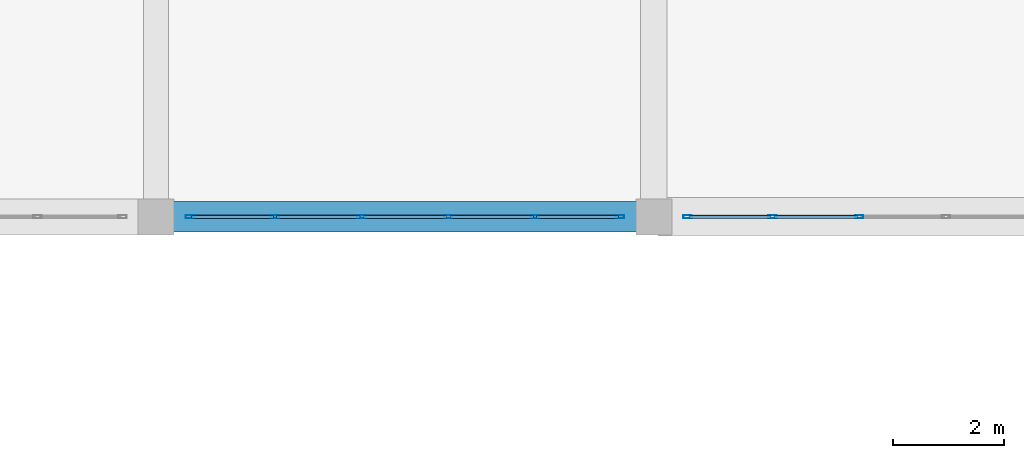
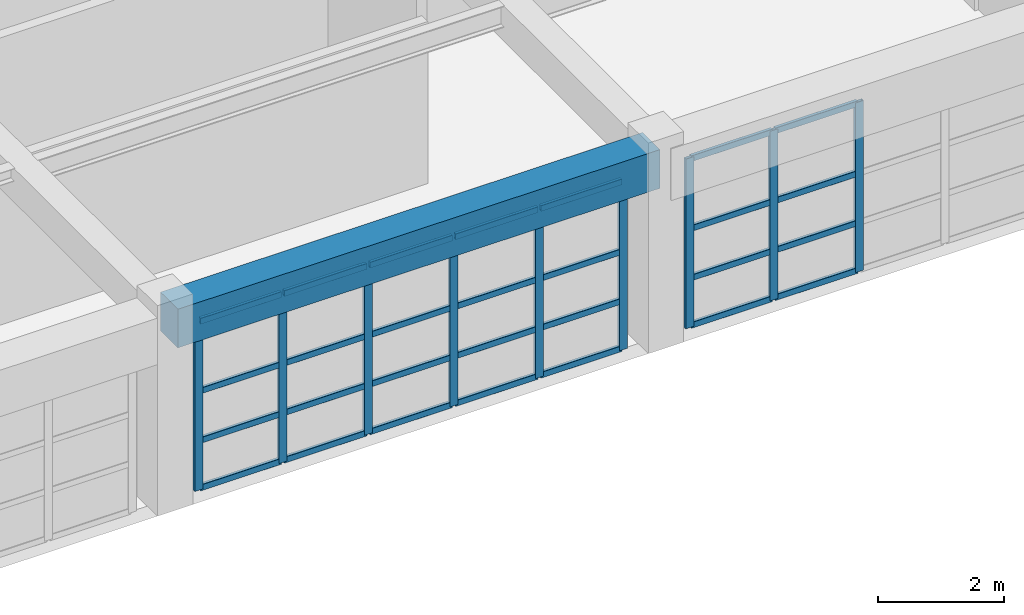
# One storey, part 27 of 130: 37 members, 1 beam, 2 elements without a shape of their own.
"""IFC4 building model written with IfcOpenShell, lengths in metres."""

from ifc_helpers import new_model, si_unit, direction, frame, origin, origin_2d, place, context, subcontext, project, spatial, rectangle, hollow_rectangle, extrude, material, material_profile, profile_set, type_object, element, aggregate, save


model = new_model("IFC4")

# Units and contexts
model_context = context("Model", 3, precision=1e-05, world=origin(), true_north=direction((0.0, 1.0)))
body_context = subcontext(model_context, "Body", "Model", "MODEL_VIEW")
ifc_project = project(units=[si_unit("LENGTHUNIT", "METRE"), si_unit("AREAUNIT", "SQUARE_METRE"), si_unit("VOLUMEUNIT", "CUBIC_METRE"), si_unit("PLANEANGLEUNIT", "RADIAN"), si_unit("MASSUNIT", "GRAM", prefix="KILO")], contexts=[model_context])

# Site, building, storey
site_placement = place(None, origin())
site = spatial("IfcSite", under=ifc_project, at=site_placement, CompositionType="ELEMENT")
building_placement = place(site_placement, origin())
building = spatial("IfcBuilding", under=site, at=building_placement, Name="Miravela Opera House", CompositionType="ELEMENT")
storey_placement = place(building_placement, frame((0.0, 0.0, 9.52001953125)))
storey = spatial("IfcBuildingStorey", under=building, at=storey_placement, Name="L02", CompositionType="ELEMENT", Elevation=9.52001953125)

# Curtain wall, members
ifc_material_1 = material(Name="Anodised architectural bronze aluminium 6063-T6", Category="aluminium")
curtain_wall_type = type_object("IfcCurtainWallType", Name="ARC-CW-06", PredefinedType="NOTDEFINED", material=ifc_material_1)
curtain_wall_1_placement = place(storey_placement, origin())
curtain_wall_1 = element("IfcCurtainWall", 1, at=curtain_wall_1_placement, inside=storey, type_object=curtain_wall_type, Name="Courtyard Arcade Curtain Wall CW-L02-138", PredefinedType="NOTDEFINED")
ifc_material_profile_1 = material_profile(ifc_material_1, hollow_rectangle(XDim=0.06005859375, YDim=0.14990234375, WallThickness=0.00390625, InnerFilletRadius=0.001953125, OuterFilletRadius=0.00390625, at=origin_2d()), Name="CWM-60X150")
ifc_profile_set_1 = profile_set([ifc_material_profile_1])
member_type_1 = type_object("IfcMemberType", Name="ARC-CWM-150", PredefinedType="MULLION", material=ifc_profile_set_1)
member_1_placement = place(storey_placement, frame((36.610107421875, 28.0, 0.0), z_axis=(0.0, 0.0, 1.0), x_axis=(0.0, 1.0, 0.0)))
member_1 = element("IfcMember", 2, at=member_1_placement, type_object=member_type_1, Name="CW-06 mullion 1", PredefinedType="MULLION", context=body_context, shape_type="SweptSolid", body=[
    extrude(hollow_rectangle(XDim=0.06005859375, YDim=0.14990234375, WallThickness=0.00390625, InnerFilletRadius=0.001953125, OuterFilletRadius=0.00390625, at=origin_2d()), origin(), (0.0, 0.0, 1.0), 3.2900390625),
])
member_2_placement = place(storey_placement, frame((38.14794921875, 28.0, 0.0), z_axis=(0.0, 0.0, 1.0), x_axis=(0.0, 1.0, 0.0)))
member_2 = element("IfcMember", 3, at=member_2_placement, type_object=member_type_1, Name="CW-06 mullion 2", PredefinedType="MULLION", context=body_context, shape_type="SweptSolid", body=[
    extrude(hollow_rectangle(XDim=0.06005859375, YDim=0.14990234375, WallThickness=0.00390625, InnerFilletRadius=0.001953125, OuterFilletRadius=0.00390625, at=origin_2d()), origin(), (0.0, 0.0, 1.0), 3.2900390625),
])
member_3_placement = place(storey_placement, frame((39.716064453125, 28.0, 0.0), z_axis=(0.0, 0.0, 1.0), x_axis=(0.0, 1.0, 0.0)))
member_3 = element("IfcMember", 4, at=member_3_placement, type_object=member_type_1, Name="CW-06 mullion 3", PredefinedType="MULLION", context=body_context, shape_type="SweptSolid", body=[
    extrude(hollow_rectangle(XDim=0.06005859375, YDim=0.14990234375, WallThickness=0.00390625, InnerFilletRadius=0.001953125, OuterFilletRadius=0.00390625, at=origin_2d()), origin(), (0.0, 0.0, 1.0), 3.2900390625),
])
member_4_placement = place(storey_placement, frame((41.283935546875, 28.0, 0.0), z_axis=(0.0, 0.0, 1.0), x_axis=(0.0, 1.0, 0.0)))
member_4 = element("IfcMember", 5, at=member_4_placement, type_object=member_type_1, Name="CW-06 mullion 4", PredefinedType="MULLION", context=body_context, shape_type="SweptSolid", body=[
    extrude(hollow_rectangle(XDim=0.06005859375, YDim=0.14990234375, WallThickness=0.00390625, InnerFilletRadius=0.001953125, OuterFilletRadius=0.00390625, at=origin_2d()), origin(), (0.0, 0.0, 1.0), 3.2900390625),
])
member_5_placement = place(storey_placement, frame((42.85205078125, 28.0, 0.0), z_axis=(0.0, 0.0, 1.0), x_axis=(0.0, 1.0, 0.0)))
member_5 = element("IfcMember", 6, at=member_5_placement, type_object=member_type_1, Name="CW-06 mullion 5", PredefinedType="MULLION", context=body_context, shape_type="SweptSolid", body=[
    extrude(hollow_rectangle(XDim=0.06005859375, YDim=0.14990234375, WallThickness=0.00390625, InnerFilletRadius=0.001953125, OuterFilletRadius=0.00390625, at=origin_2d()), origin(), (0.0, 0.0, 1.0), 3.2900390625),
])
member_6_placement = place(storey_placement, frame((44.389892578125, 28.0, 0.0), z_axis=(0.0, 0.0, 1.0), x_axis=(0.0, 1.0, 0.0)))
member_6 = element("IfcMember", 7, at=member_6_placement, type_object=member_type_1, Name="CW-06 mullion 6", PredefinedType="MULLION", context=body_context, shape_type="SweptSolid", body=[
    extrude(hollow_rectangle(XDim=0.06005859375, YDim=0.14990234375, WallThickness=0.00390625, InnerFilletRadius=0.001953125, OuterFilletRadius=0.00390625, at=origin_2d()), origin(), (0.0, 0.0, 1.0), 3.2900390625),
])

curtain_wall_2_placement = place(storey_placement, origin())
curtain_wall_2 = element("IfcCurtainWall", 8, at=curtain_wall_2_placement, inside=storey, type_object=curtain_wall_type, Name="Courtyard Arcade Curtain Wall CW-L02-140", PredefinedType="NOTDEFINED")
member_7_placement = place(storey_placement, frame((45.610107421875, 28.0, 0.0), z_axis=(0.0, 0.0, 1.0), x_axis=(0.0, 1.0, 0.0)))
member_7 = element("IfcMember", 9, at=member_7_placement, type_object=member_type_1, Name="CW-06 mullion 1", PredefinedType="MULLION", context=body_context, shape_type="SweptSolid", body=[
    extrude(hollow_rectangle(XDim=0.06005859375, YDim=0.14990234375, WallThickness=0.00390625, InnerFilletRadius=0.001953125, OuterFilletRadius=0.00390625, at=origin_2d()), origin(), (0.0, 0.0, 1.0), 3.2900390625),
])
member_8_placement = place(storey_placement, frame((47.14794921875, 28.0, 0.0), z_axis=(0.0, 0.0, 1.0), x_axis=(0.0, 1.0, 0.0)))
member_8 = element("IfcMember", 10, at=member_8_placement, type_object=member_type_1, Name="CW-06 mullion 2", PredefinedType="MULLION", context=body_context, shape_type="SweptSolid", body=[
    extrude(hollow_rectangle(XDim=0.06005859375, YDim=0.14990234375, WallThickness=0.00390625, InnerFilletRadius=0.001953125, OuterFilletRadius=0.00390625, at=origin_2d()), origin(), (0.0, 0.0, 1.0), 3.2900390625),
])
member_9_placement = place(storey_placement, frame((48.716064453125, 28.0, 0.0), z_axis=(0.0, 0.0, 1.0), x_axis=(0.0, 1.0, 0.0)))
member_9 = element("IfcMember", 11, at=member_9_placement, type_object=member_type_1, Name="CW-06 mullion 3", PredefinedType="MULLION", context=body_context, shape_type="SweptSolid", body=[
    extrude(hollow_rectangle(XDim=0.06005859375, YDim=0.14990234375, WallThickness=0.00390625, InnerFilletRadius=0.001953125, OuterFilletRadius=0.00390625, at=origin_2d()), origin(), (0.0, 0.0, 1.0), 3.2900390625),
])

# Member
ifc_material_profile_2 = material_profile(ifc_material_1, hollow_rectangle(XDim=0.06005859375, YDim=0.114990234375, WallThickness=0.00390625, InnerFilletRadius=0.001953125, OuterFilletRadius=0.00390625, at=origin_2d()), Name="CWT-60X115")
ifc_profile_set_2 = profile_set([ifc_material_profile_2])
member_type_2 = type_object("IfcMemberType", Name="ARC-CWT-115", PredefinedType="USERDEFINED", material=ifc_profile_set_2)
member_10_placement = place(storey_placement, frame((36.639892578125, 28.0, 0.030029296875), z_axis=(1.0, 0.0, 0.0), x_axis=(0.0, 1.0, 0.0)))
member_10 = element("IfcMember", 12, at=member_10_placement, type_object=member_type_2, Name="CW-06 transom 1.1", ObjectType="TRANSOM", PredefinedType="USERDEFINED", context=body_context, shape_type="SweptSolid", body=[
    extrude(hollow_rectangle(XDim=0.06005859375, YDim=0.114990234375, WallThickness=0.00390625, InnerFilletRadius=0.001953125, OuterFilletRadius=0.00390625, at=origin_2d()), origin(), (0.0, 0.0, 1.0), 1.47802734375),
])

member_11_placement = place(storey_placement, frame((36.639892578125, 28.0, 0.949951171875), z_axis=(1.0, 0.0, 0.0), x_axis=(0.0, 1.0, 0.0)))
member_11 = element("IfcMember", 13, at=member_11_placement, type_object=member_type_2, Name="CW-06 transom 1.2", ObjectType="TRANSOM", PredefinedType="USERDEFINED", context=body_context, shape_type="SweptSolid", body=[
    extrude(hollow_rectangle(XDim=0.06005859375, YDim=0.114990234375, WallThickness=0.00390625, InnerFilletRadius=0.001953125, OuterFilletRadius=0.00390625, at=origin_2d()), origin(), (0.0, 0.0, 1.0), 1.47802734375),
])

member_12_placement = place(storey_placement, frame((36.639892578125, 28.0, 1.908203125), z_axis=(1.0, 0.0, 0.0), x_axis=(0.0, 1.0, 0.0)))
member_12 = element("IfcMember", 14, at=member_12_placement, type_object=member_type_2, Name="CW-06 transom 1.3", ObjectType="TRANSOM", PredefinedType="USERDEFINED", context=body_context, shape_type="SweptSolid", body=[
    extrude(hollow_rectangle(XDim=0.06005859375, YDim=0.114990234375, WallThickness=0.00390625, InnerFilletRadius=0.001953125, OuterFilletRadius=0.00390625, at=origin_2d()), origin(), (0.0, 0.0, 1.0), 1.47802734375),
])

member_13_placement = place(storey_placement, frame((36.639892578125, 28.0, 3.260009765625), z_axis=(1.0, 0.0, 0.0), x_axis=(0.0, 1.0, 0.0)))
member_13 = element("IfcMember", 15, at=member_13_placement, type_object=member_type_2, Name="CW-06 transom 1.4", ObjectType="TRANSOM", PredefinedType="USERDEFINED", context=body_context, shape_type="SweptSolid", body=[
    extrude(hollow_rectangle(XDim=0.06005859375, YDim=0.114990234375, WallThickness=0.00390625, InnerFilletRadius=0.001953125, OuterFilletRadius=0.00390625, at=origin_2d()), origin(), (0.0, 0.0, 1.0), 1.47802734375),
])

member_14_placement = place(storey_placement, frame((38.177978515625, 28.0, 0.030029296875), z_axis=(1.0, 0.0, 0.0), x_axis=(0.0, 1.0, 0.0)))
member_14 = element("IfcMember", 16, at=member_14_placement, type_object=member_type_2, Name="CW-06 transom 2.1", ObjectType="TRANSOM", PredefinedType="USERDEFINED", context=body_context, shape_type="SweptSolid", body=[
    extrude(hollow_rectangle(XDim=0.06005859375, YDim=0.114990234375, WallThickness=0.00390625, InnerFilletRadius=0.001953125, OuterFilletRadius=0.00390625, at=origin_2d()), origin(), (0.0, 0.0, 1.0), 1.508056640625),
])

member_15_placement = place(storey_placement, frame((38.177978515625, 28.0, 0.949951171875), z_axis=(1.0, 0.0, 0.0), x_axis=(0.0, 1.0, 0.0)))
member_15 = element("IfcMember", 17, at=member_15_placement, type_object=member_type_2, Name="CW-06 transom 2.2", ObjectType="TRANSOM", PredefinedType="USERDEFINED", context=body_context, shape_type="SweptSolid", body=[
    extrude(hollow_rectangle(XDim=0.06005859375, YDim=0.114990234375, WallThickness=0.00390625, InnerFilletRadius=0.001953125, OuterFilletRadius=0.00390625, at=origin_2d()), origin(), (0.0, 0.0, 1.0), 1.508056640625),
])

member_16_placement = place(storey_placement, frame((38.177978515625, 28.0, 1.908203125), z_axis=(1.0, 0.0, 0.0), x_axis=(0.0, 1.0, 0.0)))
member_16 = element("IfcMember", 18, at=member_16_placement, type_object=member_type_2, Name="CW-06 transom 2.3", ObjectType="TRANSOM", PredefinedType="USERDEFINED", context=body_context, shape_type="SweptSolid", body=[
    extrude(hollow_rectangle(XDim=0.06005859375, YDim=0.114990234375, WallThickness=0.00390625, InnerFilletRadius=0.001953125, OuterFilletRadius=0.00390625, at=origin_2d()), origin(), (0.0, 0.0, 1.0), 1.508056640625),
])

member_17_placement = place(storey_placement, frame((38.177978515625, 28.0, 3.260009765625), z_axis=(1.0, 0.0, 0.0), x_axis=(0.0, 1.0, 0.0)))
member_17 = element("IfcMember", 19, at=member_17_placement, type_object=member_type_2, Name="CW-06 transom 2.4", ObjectType="TRANSOM", PredefinedType="USERDEFINED", context=body_context, shape_type="SweptSolid", body=[
    extrude(hollow_rectangle(XDim=0.06005859375, YDim=0.114990234375, WallThickness=0.00390625, InnerFilletRadius=0.001953125, OuterFilletRadius=0.00390625, at=origin_2d()), origin(), (0.0, 0.0, 1.0), 1.508056640625),
])

member_18_placement = place(storey_placement, frame((39.74609375, 28.0, 0.030029296875), z_axis=(1.0, 0.0, 0.0), x_axis=(0.0, 1.0, 0.0)))
member_18 = element("IfcMember", 20, at=member_18_placement, type_object=member_type_2, Name="CW-06 transom 3.1", ObjectType="TRANSOM", PredefinedType="USERDEFINED", context=body_context, shape_type="SweptSolid", body=[
    extrude(hollow_rectangle(XDim=0.06005859375, YDim=0.114990234375, WallThickness=0.00390625, InnerFilletRadius=0.001953125, OuterFilletRadius=0.00390625, at=origin_2d()), origin(), (0.0, 0.0, 1.0), 1.5078125),
])

member_19_placement = place(storey_placement, frame((39.74609375, 28.0, 0.949951171875), z_axis=(1.0, 0.0, 0.0), x_axis=(0.0, 1.0, 0.0)))
member_19 = element("IfcMember", 21, at=member_19_placement, type_object=member_type_2, Name="CW-06 transom 3.2", ObjectType="TRANSOM", PredefinedType="USERDEFINED", context=body_context, shape_type="SweptSolid", body=[
    extrude(hollow_rectangle(XDim=0.06005859375, YDim=0.114990234375, WallThickness=0.00390625, InnerFilletRadius=0.001953125, OuterFilletRadius=0.00390625, at=origin_2d()), origin(), (0.0, 0.0, 1.0), 1.5078125),
])

member_20_placement = place(storey_placement, frame((39.74609375, 28.0, 1.908203125), z_axis=(1.0, 0.0, 0.0), x_axis=(0.0, 1.0, 0.0)))
member_20 = element("IfcMember", 22, at=member_20_placement, type_object=member_type_2, Name="CW-06 transom 3.3", ObjectType="TRANSOM", PredefinedType="USERDEFINED", context=body_context, shape_type="SweptSolid", body=[
    extrude(hollow_rectangle(XDim=0.06005859375, YDim=0.114990234375, WallThickness=0.00390625, InnerFilletRadius=0.001953125, OuterFilletRadius=0.00390625, at=origin_2d()), origin(), (0.0, 0.0, 1.0), 1.5078125),
])

member_21_placement = place(storey_placement, frame((39.74609375, 28.0, 3.260009765625), z_axis=(1.0, 0.0, 0.0), x_axis=(0.0, 1.0, 0.0)))
member_21 = element("IfcMember", 23, at=member_21_placement, type_object=member_type_2, Name="CW-06 transom 3.4", ObjectType="TRANSOM", PredefinedType="USERDEFINED", context=body_context, shape_type="SweptSolid", body=[
    extrude(hollow_rectangle(XDim=0.06005859375, YDim=0.114990234375, WallThickness=0.00390625, InnerFilletRadius=0.001953125, OuterFilletRadius=0.00390625, at=origin_2d()), origin(), (0.0, 0.0, 1.0), 1.5078125),
])

member_22_placement = place(storey_placement, frame((41.31396484375, 28.0, 0.030029296875), z_axis=(1.0, 0.0, 0.0), x_axis=(0.0, 1.0, 0.0)))
member_22 = element("IfcMember", 24, at=member_22_placement, type_object=member_type_2, Name="CW-06 transom 4.1", ObjectType="TRANSOM", PredefinedType="USERDEFINED", context=body_context, shape_type="SweptSolid", body=[
    extrude(hollow_rectangle(XDim=0.06005859375, YDim=0.114990234375, WallThickness=0.00390625, InnerFilletRadius=0.001953125, OuterFilletRadius=0.00390625, at=origin_2d()), origin(), (0.0, 0.0, 1.0), 1.508056640625),
])

member_23_placement = place(storey_placement, frame((41.31396484375, 28.0, 0.949951171875), z_axis=(1.0, 0.0, 0.0), x_axis=(0.0, 1.0, 0.0)))
member_23 = element("IfcMember", 25, at=member_23_placement, type_object=member_type_2, Name="CW-06 transom 4.2", ObjectType="TRANSOM", PredefinedType="USERDEFINED", context=body_context, shape_type="SweptSolid", body=[
    extrude(hollow_rectangle(XDim=0.06005859375, YDim=0.114990234375, WallThickness=0.00390625, InnerFilletRadius=0.001953125, OuterFilletRadius=0.00390625, at=origin_2d()), origin(), (0.0, 0.0, 1.0), 1.508056640625),
])

member_24_placement = place(storey_placement, frame((41.31396484375, 28.0, 1.908203125), z_axis=(1.0, 0.0, 0.0), x_axis=(0.0, 1.0, 0.0)))
member_24 = element("IfcMember", 26, at=member_24_placement, type_object=member_type_2, Name="CW-06 transom 4.3", ObjectType="TRANSOM", PredefinedType="USERDEFINED", context=body_context, shape_type="SweptSolid", body=[
    extrude(hollow_rectangle(XDim=0.06005859375, YDim=0.114990234375, WallThickness=0.00390625, InnerFilletRadius=0.001953125, OuterFilletRadius=0.00390625, at=origin_2d()), origin(), (0.0, 0.0, 1.0), 1.508056640625),
])

member_25_placement = place(storey_placement, frame((41.31396484375, 28.0, 3.260009765625), z_axis=(1.0, 0.0, 0.0), x_axis=(0.0, 1.0, 0.0)))
member_25 = element("IfcMember", 27, at=member_25_placement, type_object=member_type_2, Name="CW-06 transom 4.4", ObjectType="TRANSOM", PredefinedType="USERDEFINED", context=body_context, shape_type="SweptSolid", body=[
    extrude(hollow_rectangle(XDim=0.06005859375, YDim=0.114990234375, WallThickness=0.00390625, InnerFilletRadius=0.001953125, OuterFilletRadius=0.00390625, at=origin_2d()), origin(), (0.0, 0.0, 1.0), 1.508056640625),
])

member_26_placement = place(storey_placement, frame((42.882080078125, 28.0, 0.030029296875), z_axis=(1.0, 0.0, 0.0), x_axis=(0.0, 1.0, 0.0)))
member_26 = element("IfcMember", 28, at=member_26_placement, type_object=member_type_2, Name="CW-06 transom 5.1", ObjectType="TRANSOM", PredefinedType="USERDEFINED", context=body_context, shape_type="SweptSolid", body=[
    extrude(hollow_rectangle(XDim=0.06005859375, YDim=0.114990234375, WallThickness=0.00390625, InnerFilletRadius=0.001953125, OuterFilletRadius=0.00390625, at=origin_2d()), origin(), (0.0, 0.0, 1.0), 1.47802734375),
])

member_27_placement = place(storey_placement, frame((42.882080078125, 28.0, 0.949951171875), z_axis=(1.0, 0.0, 0.0), x_axis=(0.0, 1.0, 0.0)))
member_27 = element("IfcMember", 29, at=member_27_placement, type_object=member_type_2, Name="CW-06 transom 5.2", ObjectType="TRANSOM", PredefinedType="USERDEFINED", context=body_context, shape_type="SweptSolid", body=[
    extrude(hollow_rectangle(XDim=0.06005859375, YDim=0.114990234375, WallThickness=0.00390625, InnerFilletRadius=0.001953125, OuterFilletRadius=0.00390625, at=origin_2d()), origin(), (0.0, 0.0, 1.0), 1.47802734375),
])

member_28_placement = place(storey_placement, frame((42.882080078125, 28.0, 1.908203125), z_axis=(1.0, 0.0, 0.0), x_axis=(0.0, 1.0, 0.0)))
member_28 = element("IfcMember", 30, at=member_28_placement, type_object=member_type_2, Name="CW-06 transom 5.3", ObjectType="TRANSOM", PredefinedType="USERDEFINED", context=body_context, shape_type="SweptSolid", body=[
    extrude(hollow_rectangle(XDim=0.06005859375, YDim=0.114990234375, WallThickness=0.00390625, InnerFilletRadius=0.001953125, OuterFilletRadius=0.00390625, at=origin_2d()), origin(), (0.0, 0.0, 1.0), 1.47802734375),
])

member_29_placement = place(storey_placement, frame((42.882080078125, 28.0, 3.260009765625), z_axis=(1.0, 0.0, 0.0), x_axis=(0.0, 1.0, 0.0)))
member_29 = element("IfcMember", 31, at=member_29_placement, type_object=member_type_2, Name="CW-06 transom 5.4", ObjectType="TRANSOM", PredefinedType="USERDEFINED", context=body_context, shape_type="SweptSolid", body=[
    extrude(hollow_rectangle(XDim=0.06005859375, YDim=0.114990234375, WallThickness=0.00390625, InnerFilletRadius=0.001953125, OuterFilletRadius=0.00390625, at=origin_2d()), origin(), (0.0, 0.0, 1.0), 1.47802734375),
])

aggregate(curtain_wall_1, [member_1, member_2, member_3, member_4, member_5, member_6, member_10, member_11, member_12, member_13, member_14, member_15, member_16, member_17, member_18, member_19, member_20, member_21, member_22, member_23, member_24, member_25, member_26, member_27, member_28, member_29])

member_30_placement = place(storey_placement, frame((45.639892578125, 28.0, 0.030029296875), z_axis=(1.0, 0.0, 0.0), x_axis=(0.0, 1.0, 0.0)))
member_30 = element("IfcMember", 32, at=member_30_placement, type_object=member_type_2, Name="CW-06 transom 1.1", ObjectType="TRANSOM", PredefinedType="USERDEFINED", context=body_context, shape_type="SweptSolid", body=[
    extrude(hollow_rectangle(XDim=0.06005859375, YDim=0.114990234375, WallThickness=0.00390625, InnerFilletRadius=0.001953125, OuterFilletRadius=0.00390625, at=origin_2d()), origin(), (0.0, 0.0, 1.0), 1.47802734375),
])

member_31_placement = place(storey_placement, frame((45.639892578125, 28.0, 0.949951171875), z_axis=(1.0, 0.0, 0.0), x_axis=(0.0, 1.0, 0.0)))
member_31 = element("IfcMember", 33, at=member_31_placement, type_object=member_type_2, Name="CW-06 transom 1.2", ObjectType="TRANSOM", PredefinedType="USERDEFINED", context=body_context, shape_type="SweptSolid", body=[
    extrude(hollow_rectangle(XDim=0.06005859375, YDim=0.114990234375, WallThickness=0.00390625, InnerFilletRadius=0.001953125, OuterFilletRadius=0.00390625, at=origin_2d()), origin(), (0.0, 0.0, 1.0), 1.47802734375),
])

member_32_placement = place(storey_placement, frame((45.639892578125, 28.0, 1.908203125), z_axis=(1.0, 0.0, 0.0), x_axis=(0.0, 1.0, 0.0)))
member_32 = element("IfcMember", 34, at=member_32_placement, type_object=member_type_2, Name="CW-06 transom 1.3", ObjectType="TRANSOM", PredefinedType="USERDEFINED", context=body_context, shape_type="SweptSolid", body=[
    extrude(hollow_rectangle(XDim=0.06005859375, YDim=0.114990234375, WallThickness=0.00390625, InnerFilletRadius=0.001953125, OuterFilletRadius=0.00390625, at=origin_2d()), origin(), (0.0, 0.0, 1.0), 1.47802734375),
])

member_33_placement = place(storey_placement, frame((45.639892578125, 28.0, 3.260009765625), z_axis=(1.0, 0.0, 0.0), x_axis=(0.0, 1.0, 0.0)))
member_33 = element("IfcMember", 35, at=member_33_placement, type_object=member_type_2, Name="CW-06 transom 1.4", ObjectType="TRANSOM", PredefinedType="USERDEFINED", context=body_context, shape_type="SweptSolid", body=[
    extrude(hollow_rectangle(XDim=0.06005859375, YDim=0.114990234375, WallThickness=0.00390625, InnerFilletRadius=0.001953125, OuterFilletRadius=0.00390625, at=origin_2d()), origin(), (0.0, 0.0, 1.0), 1.47802734375),
])

member_34_placement = place(storey_placement, frame((47.177978515625, 28.0, 0.030029296875), z_axis=(1.0, 0.0, 0.0), x_axis=(0.0, 1.0, 0.0)))
member_34 = element("IfcMember", 36, at=member_34_placement, type_object=member_type_2, Name="CW-06 transom 2.1", ObjectType="TRANSOM", PredefinedType="USERDEFINED", context=body_context, shape_type="SweptSolid", body=[
    extrude(hollow_rectangle(XDim=0.06005859375, YDim=0.114990234375, WallThickness=0.00390625, InnerFilletRadius=0.001953125, OuterFilletRadius=0.00390625, at=origin_2d()), origin(), (0.0, 0.0, 1.0), 1.508056640625),
])

member_35_placement = place(storey_placement, frame((47.177978515625, 28.0, 0.949951171875), z_axis=(1.0, 0.0, 0.0), x_axis=(0.0, 1.0, 0.0)))
member_35 = element("IfcMember", 37, at=member_35_placement, type_object=member_type_2, Name="CW-06 transom 2.2", ObjectType="TRANSOM", PredefinedType="USERDEFINED", context=body_context, shape_type="SweptSolid", body=[
    extrude(hollow_rectangle(XDim=0.06005859375, YDim=0.114990234375, WallThickness=0.00390625, InnerFilletRadius=0.001953125, OuterFilletRadius=0.00390625, at=origin_2d()), origin(), (0.0, 0.0, 1.0), 1.508056640625),
])

member_36_placement = place(storey_placement, frame((47.177978515625, 28.0, 1.908203125), z_axis=(1.0, 0.0, 0.0), x_axis=(0.0, 1.0, 0.0)))
member_36 = element("IfcMember", 38, at=member_36_placement, type_object=member_type_2, Name="CW-06 transom 2.3", ObjectType="TRANSOM", PredefinedType="USERDEFINED", context=body_context, shape_type="SweptSolid", body=[
    extrude(hollow_rectangle(XDim=0.06005859375, YDim=0.114990234375, WallThickness=0.00390625, InnerFilletRadius=0.001953125, OuterFilletRadius=0.00390625, at=origin_2d()), origin(), (0.0, 0.0, 1.0), 1.508056640625),
])

member_37_placement = place(storey_placement, frame((47.177978515625, 28.0, 3.260009765625), z_axis=(1.0, 0.0, 0.0), x_axis=(0.0, 1.0, 0.0)))
member_37 = element("IfcMember", 39, at=member_37_placement, type_object=member_type_2, Name="CW-06 transom 2.4", ObjectType="TRANSOM", PredefinedType="USERDEFINED", context=body_context, shape_type="SweptSolid", body=[
    extrude(hollow_rectangle(XDim=0.06005859375, YDim=0.114990234375, WallThickness=0.00390625, InnerFilletRadius=0.001953125, OuterFilletRadius=0.00390625, at=origin_2d()), origin(), (0.0, 0.0, 1.0), 1.508056640625),
])

aggregate(curtain_wall_2, [member_7, member_8, member_9, member_30, member_31, member_32, member_33, member_34, member_35, member_36, member_37])

# Beam
ifc_material_2 = material(Name="Concrete C35/45", Category="concrete")
ifc_material_profile_3 = material_profile(ifc_material_2, rectangle(XDim=0.550048828125, YDim=0.75, at=origin_2d()), Name="RC-BM-550X750")
ifc_profile_set_3 = profile_set([ifc_material_profile_3])
beam_type = type_object("IfcBeamType", Name="STR-BM-RC550X750", PredefinedType="BEAM", material=ifc_profile_set_3)
beam_placement = place(storey_placement, frame((36.080078125, 28.0, 3.465087890625), z_axis=(1.0, 0.0, 0.0), x_axis=(0.0, 1.0, 0.0)))
element("IfcBeam", 40, at=beam_placement, inside=storey, type_object=beam_type, Name="Floor Girder L02 5-6/D", PredefinedType="BEAM", context=body_context, shape_type="SweptSolid", body=[
    extrude(rectangle(XDim=0.550048828125, YDim=0.75, at=origin_2d()), origin(), (0.0, 0.0, 1.0), 8.83984375),
])

save(model, "model.ifc")
